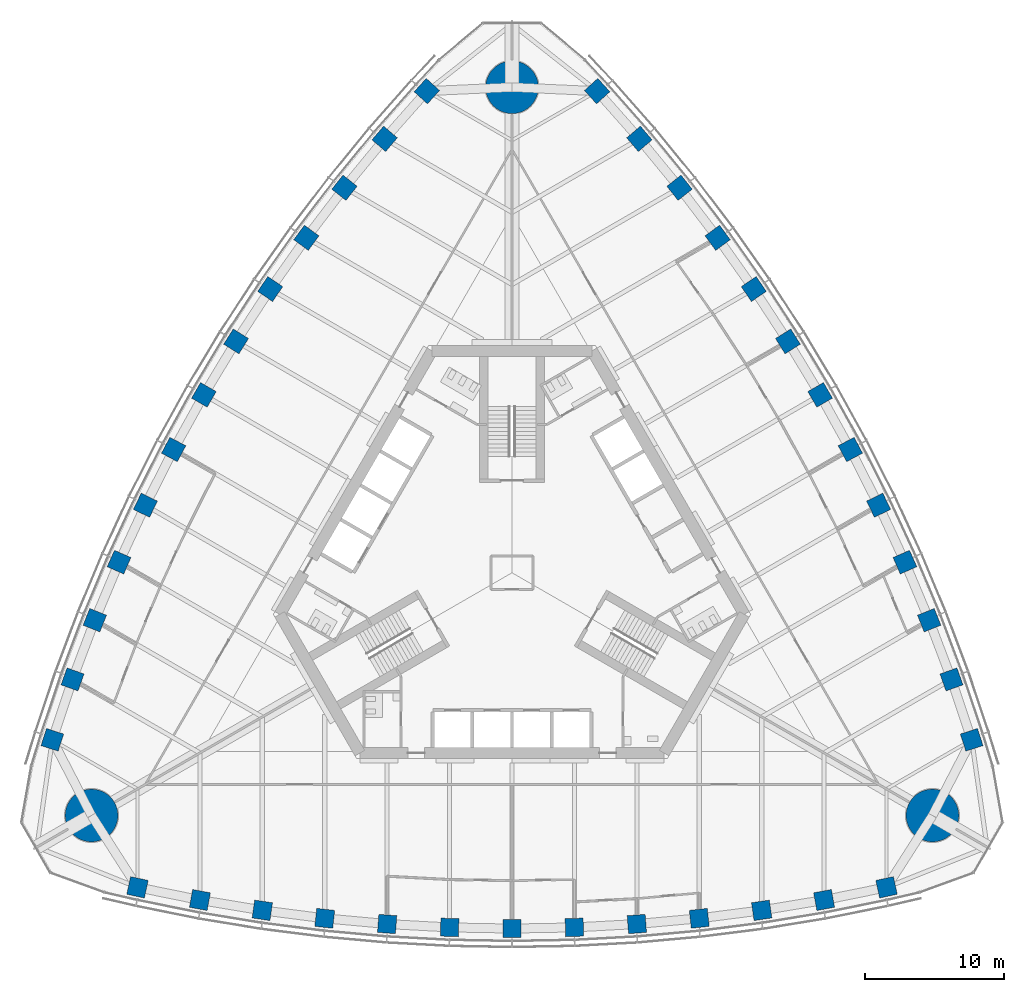
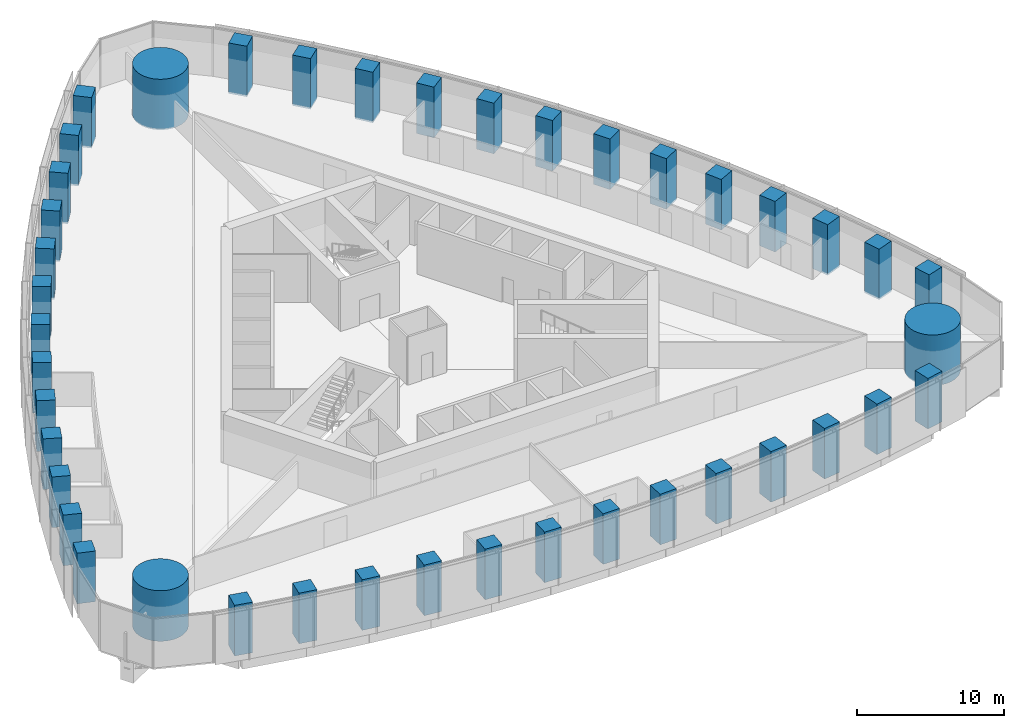
# One storey, part 1 of 19: 42 columns.
"""IFC4 building model written with IfcOpenShell, lengths in metres."""

from ifc_helpers import new_model, si_unit, direction, frame, origin, origin_2d, place, context, subcontext, project, spatial, rectangle, circle, extrude, material, material_profile, profile_set, type_object, element, save


model = new_model("IFC4")

# Units and contexts
model_context = context("Model", 3, precision=1e-05, world=origin(), true_north=direction((0.0, 1.0)))
body_context = subcontext(model_context, "Body", "Model", "MODEL_VIEW")
ifc_project = project(units=[si_unit("LENGTHUNIT", "METRE"), si_unit("AREAUNIT", "SQUARE_METRE"), si_unit("VOLUMEUNIT", "CUBIC_METRE"), si_unit("PLANEANGLEUNIT", "RADIAN"), si_unit("MASSUNIT", "GRAM", prefix="KILO")], contexts=[model_context])

# Site, building, storey
site_placement = place(None, origin())
site = spatial("IfcSite", under=ifc_project, at=site_placement, CompositionType="ELEMENT")
building_placement = place(site_placement, origin())
building = spatial("IfcBuilding", under=site, at=building_placement, Name="Trefoil Bronze Tower", CompositionType="ELEMENT")
storey_placement = place(building_placement, frame((0.0, 0.0, 119.89990234375)))
storey = spatial("IfcBuildingStorey", under=building, at=storey_placement, Name="L27", CompositionType="ELEMENT", Elevation=119.89990234375)

# Columns
ifc_material_1 = material(Name="Concrete B80", Category="concrete")
ifc_material_profile_1 = material_profile(ifc_material_1, circle(Radius=1.89990234375, at=origin_2d()), Name="RC D3800")
ifc_profile_set_1 = profile_set([ifc_material_profile_1], Name="Concrete B80")
column_type_1 = type_object("IfcColumnType", Name="Mega column RC D3800", PredefinedType="COLUMN", material=ifc_profile_set_1)
for number, where, z_axis, x_axis, name in (
    (1, (30.310791015625, -17.5, 0.0), (0.0, 0.0, 1.0), (1.0, 0.0, 0.0), "Mega column K1 L27"),
    (2, (0.0, 35.0, 0.0), (0.0, 0.0, 1.0), (1.0, 0.0, 0.0), "Mega column K2 L27"),
    (3, (-30.310791015625, -17.5, 0.0), (0.0, 0.0, 1.0), (1.0, 0.0, 0.0), "Mega column K3 L27"),
):
    element("IfcColumn", number, at=place(storey_placement, frame(where, z_axis=z_axis, x_axis=x_axis)), inside=storey, type_object=column_type_1, Name=name, PredefinedType="COLUMN", context=body_context, shape_type="SweptSolid", body=[
        extrude(circle(Radius=1.89990234375, at=origin_2d()), origin(), (0.0, 0.0, 1.0), 4.2001953125),
    ])
ifc_material_2 = material(Name="Concrete B80", Category="concrete")
ifc_material_profile_2 = material_profile(ifc_material_2, rectangle(XDim=1.300048828125, YDim=1.300048828125, at=origin_2d()), Name="RC 1300x1300")
ifc_profile_set_2 = profile_set([ifc_material_profile_2], Name="Concrete B80")
column_type_2 = type_object("IfcColumnType", Name="Tube column RC 1300x1300", PredefinedType="COLUMN", material=ifc_profile_set_2)
for number, where, z_axis, x_axis, name in (
    (4, (-27.0, -22.67724609375, 0.0), (0.0, 0.0, 1.0), (0.977276081214, -0.21197042503, 0.0), "Tube column F1/-6 L27"),
    (5, (-22.5, -23.592529296875, 0.0), (0.0, 0.0, 1.0), (0.98362250613, -0.180240853954, 0.0), "Tube column F1/-5 L27"),
    (6, (-18.0, -24.337158203125, 0.0), (0.0, 0.0, 1.0), (0.989549714366, -0.144192103798, 0.0), "Tube column F1/-4 L27"),
    (7, (-13.5, -24.9130859375, 0.0), (0.0, 0.0, 1.0), (0.994135267447, -0.108143747013, 0.0), "Tube column F1/-3 L27"),
    (8, (-9.0, -25.32275390625, 0.0), (0.0, 0.0, 1.0), (0.997397720802, -0.072095676284, 0.0), "Tube column F1/-2 L27"),
    (9, (-4.5, -25.568115234375, 0.0), (0.0, 0.0, 1.0), (0.999350067136, -0.036047792107, 0.0), "Tube column F1/-1 L27"),
    (10, (0.0, -25.649658203125, 0.0), (0.0, 0.0, 1.0), (1.0, 0.0, 0.0), "Tube column F1/+0 L27"),
    (11, (4.5, -25.568115234375, 0.0), (0.0, 0.0, 1.0), (0.999350067136, 0.036047792107, 0.0), "Tube column F1/+1 L27"),
    (12, (9.0, -25.32275390625, 0.0), (0.0, 0.0, 1.0), (0.997397720802, 0.072095676284, 0.0), "Tube column F1/+2 L27"),
    (13, (13.5, -24.9130859375, 0.0), (0.0, 0.0, 1.0), (0.994135267447, 0.108143747013, 0.0), "Tube column F1/+3 L27"),
    (14, (18.0, -24.337158203125, 0.0), (0.0, 0.0, 1.0), (0.989549714366, 0.144192103798, 0.0), "Tube column F1/+4 L27"),
    (15, (22.5, -23.592529296875, 0.0), (0.0, 0.0, 1.0), (0.98362250613, 0.180240853954, 0.0), "Tube column F1/+5 L27"),
    (16, (27.0, -22.67724609375, 0.0), (0.0, 0.0, 1.0), (0.977276081214, 0.21197042503, 0.0), "Tube column F1/+6 L27"),
    (17, (33.13916015625, -12.044189453125, 0.0), (0.0, 0.0, 1.0), (-0.30506626768, 0.952331125357, 0.0), "Tube column F2/-6 L27"),
    (18, (31.681884765625, -7.689208984375, 0.0), (0.0, 0.0, 1.0), (-0.335718094742, 0.94196250502, 0.0), "Tube column F2/-5 L27"),
    (19, (30.07666015625, -3.419921875, 0.0), (0.0, 0.0, 1.0), (-0.369900832269, 0.929071242848, 0.0), "Tube column F2/-4 L27"),
    (20, (28.325439453125, 0.76513671875, 0.0), (0.0, 0.0, 1.0), (-0.40341240155, 0.915018269914, 0.0), "Tube column F2/-3 L27"),
    (21, (26.43017578125, 4.8671875, 0.0), (0.0, 0.0, 1.0), (-0.436262173236, 0.899819602033, 0.0), "Tube column F2/-2 L27"),
    (22, (24.392578125, 8.886962890625, 0.0), (0.0, 0.0, 1.0), (-0.468456729853, 0.883486441467, 0.0), "Tube column F2/-1 L27"),
    (23, (22.21337890625, 12.824951171875, 0.0), (0.0, 0.0, 1.0), (-0.5, 0.866025403784, 0.0), "Tube column F2/+0 L27"),
    (24, (19.892578125, 16.68115234375, 0.0), (0.0, 0.0, 1.0), (-0.530893337283, 0.84743864936, 0.0), "Tube column F2/+1 L27"),
    (25, (17.43017578125, 20.45556640625, 0.0), (0.0, 0.0, 1.0), (-0.561135547566, 0.827723925749, 0.0), "Tube column F2/+2 L27"),
    (26, (14.825439453125, 24.14794921875, 0.0), (0.0, 0.0, 1.0), (-0.590722865897, 0.806874522901, 0.0), "Tube column F2/+3 L27"),
    (27, (12.07666015625, 27.757080078125, 0.0), (0.0, 0.0, 1.0), (-0.619648882098, 0.78487913905, 0.0), "Tube column F2/+4 L27"),
    (28, (9.181884765625, 31.281982421875, 0.0), (0.0, 0.0, 1.0), (-0.647904411389, 0.761721651066, 0.0), "Tube column F2/+5 L27"),
    (29, (6.13916015625, 34.72119140625, 0.0), (0.0, 0.0, 1.0), (-0.672209813534, 0.740360700327, 0.0), "Tube column F2/+6 L27"),
    (30, (-6.13916015625, 34.72119140625, 0.0), (0.0, 0.0, 1.0), (-0.672209813534, -0.740360700327, 0.0), "Tube column F3/-6 L27"),
    (31, (-9.181884765625, 31.281982421875, 0.0), (0.0, 0.0, 1.0), (-0.647904411389, -0.761721651066, 0.0), "Tube column F3/-5 L27"),
    (32, (-12.07666015625, 27.757080078125, 0.0), (0.0, 0.0, 1.0), (-0.619648882098, -0.78487913905, 0.0), "Tube column F3/-4 L27"),
    (33, (-14.825439453125, 24.14794921875, 0.0), (0.0, 0.0, 1.0), (-0.590722865897, -0.806874522901, 0.0), "Tube column F3/-3 L27"),
    (34, (-17.43017578125, 20.45556640625, 0.0), (0.0, 0.0, 1.0), (-0.561135547566, -0.827723925749, 0.0), "Tube column F3/-2 L27"),
    (35, (-19.892578125, 16.68115234375, 0.0), (0.0, 0.0, 1.0), (-0.530893337283, -0.84743864936, 0.0), "Tube column F3/-1 L27"),
    (36, (-22.21337890625, 12.824951171875, 0.0), (0.0, 0.0, 1.0), (-0.5, -0.866025403784, 0.0), "Tube column F3/+0 L27"),
    (37, (-24.392578125, 8.886962890625, 0.0), (0.0, 0.0, 1.0), (-0.468456729853, -0.883486441467, 0.0), "Tube column F3/+1 L27"),
    (38, (-26.43017578125, 4.8671875, 0.0), (0.0, 0.0, 1.0), (-0.436262173236, -0.899819602033, 0.0), "Tube column F3/+2 L27"),
    (39, (-28.325439453125, 0.76513671875, 0.0), (0.0, 0.0, 1.0), (-0.40341240155, -0.915018269914, 0.0), "Tube column F3/+3 L27"),
    (40, (-30.07666015625, -3.419921875, 0.0), (0.0, 0.0, 1.0), (-0.369900832269, -0.929071242848, 0.0), "Tube column F3/+4 L27"),
    (41, (-31.681884765625, -7.689208984375, 0.0), (0.0, 0.0, 1.0), (-0.335718094742, -0.94196250502, 0.0), "Tube column F3/+5 L27"),
    (42, (-33.13916015625, -12.044189453125, 0.0), (0.0, 0.0, 1.0), (-0.30506626768, -0.952331125357, 0.0), "Tube column F3/+6 L27"),
):
    element("IfcColumn", number, at=place(storey_placement, frame(where, z_axis=z_axis, x_axis=x_axis)), inside=storey, type_object=column_type_2, Name=name, PredefinedType="COLUMN", context=body_context, shape_type="SweptSolid", body=[
        extrude(rectangle(XDim=1.300048828125, YDim=1.300048828125, at=origin_2d()), origin(), (0.0, 0.0, 1.0), 4.2001953125),
    ])

save(model, "model.ifc")
